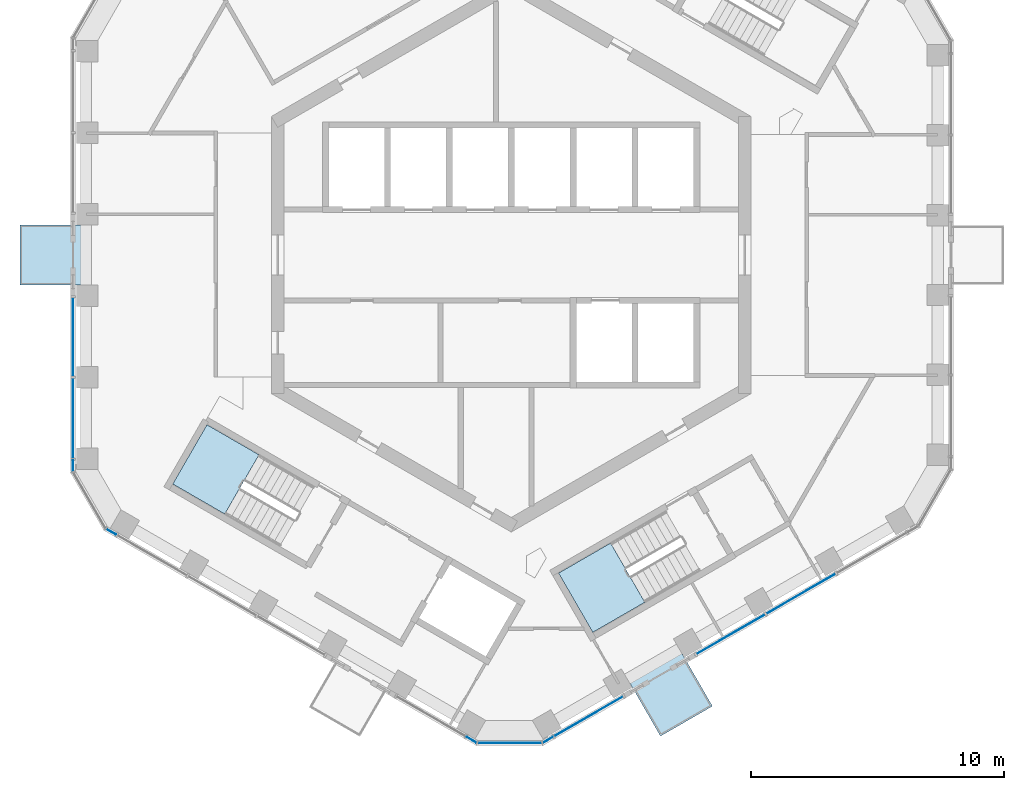
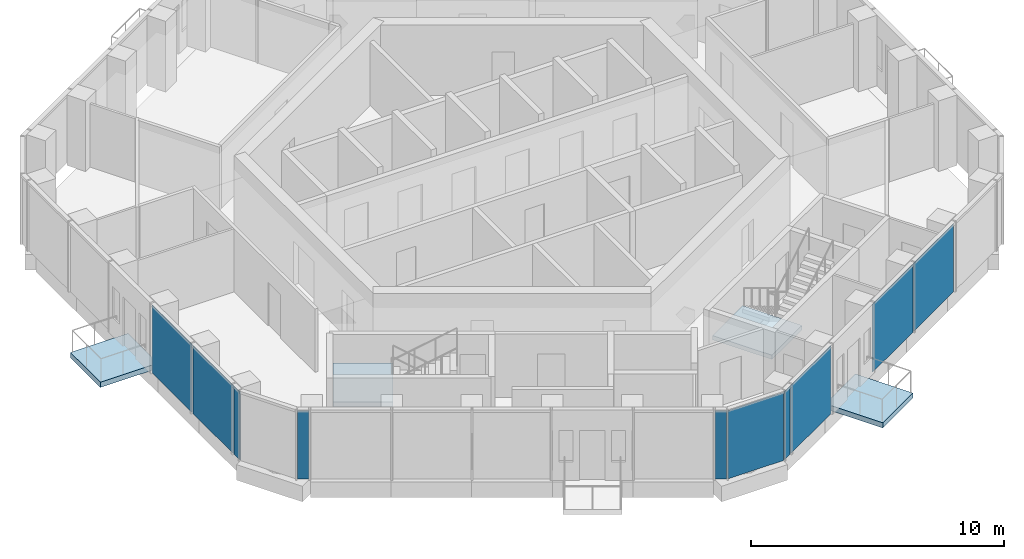
# One storey, part 8 of 19: 10 plates, 4 slabs, 7 elements without a shape of their own.
"""IFC4 building model written with IfcOpenShell, lengths in metres."""

from ifc_helpers import new_model, si_unit, direction, frame, origin, origin_2d, place, context, subcontext, project, spatial, polyline, rectangle, outline, extrude, material, layer, layer_set, type_object, element, aggregate, save


model = new_model("IFC4")

# Units and contexts
model_context = context("Model", 3, precision=1e-05, world=origin(), true_north=direction((0.0, 1.0)))
body_context = subcontext(model_context, "Body", "Model", "MODEL_VIEW")
ifc_project = project(units=[si_unit("LENGTHUNIT", "METRE"), si_unit("AREAUNIT", "SQUARE_METRE"), si_unit("VOLUMEUNIT", "CUBIC_METRE"), si_unit("PLANEANGLEUNIT", "RADIAN"), si_unit("MASSUNIT", "GRAM", prefix="KILO")], contexts=[model_context])

# Site, building, storey
site_placement = place(None, origin())
site = spatial("IfcSite", under=ifc_project, at=site_placement, CompositionType="ELEMENT")
building_placement = place(site_placement, origin())
building = spatial("IfcBuilding", under=site, at=building_placement, Name="Ayvan Gate Tower", CompositionType="ELEMENT")
storey_placement = place(building_placement, frame((0.0, 0.0, 222.300048828125)))
storey = spatial("IfcBuildingStorey", under=building, at=storey_placement, Name="L59", CompositionType="ELEMENT", Elevation=222.300048828125)

# Slabs
ifc_material_1 = material(Name="Concrete C40/50", Category="concrete")
ifc_layer_1 = layer(ifc_material_1, 0.25)
ifc_layer_set_1 = layer_set([ifc_layer_1], Name="Concrete C40/50")
slab_type_1 = type_object("IfcSlabType", Name="Balcony slab 250", PredefinedType="FLOOR", material=ifc_layer_set_1)
slab_1_placement = place(storey_placement, frame((0.0, 0.0, -0.25)))
element("IfcSlab", 1, at=slab_1_placement, inside=storey, type_object=slab_type_1, Name="Balcony slab BAL-L59-3", PredefinedType="FLOOR", context=body_context, shape_type="SweptSolid", body=[
    extrude(outline(polyline([(-16.828125, 1.185302734375), (-16.828125, -1.185302734375), (-19.453125, -1.185302734375), (-19.453125, 1.185302734375), (-16.828125, 1.185302734375)])), origin(), (0.0, 0.0, 1.0), 0.25),
])
slab_2_placement = place(storey_placement, frame((0.0, 0.0, -0.25)))
element("IfcSlab", 2, at=slab_2_placement, inside=storey, type_object=slab_type_1, Name="Balcony slab BAL-L59-5", PredefinedType="FLOOR", context=body_context, shape_type="SweptSolid", body=[
    extrude(outline(polyline([(4.59814453125, -16.77685546875), (6.6513671875, -15.59130859375), (7.9638671875, -17.864501953125), (5.91064453125, -19.050048828125), (4.59814453125, -16.77685546875)])), origin(), (0.0, 0.0, 1.0), 0.25),
])

# Stair, slab
stair_type = type_object("IfcStairType", Name="ST-EXIT", PredefinedType="HALF_TURN_STAIR", material=ifc_material_1)
stair_1_placement = place(storey_placement, origin())
stair_1 = element("IfcStair", 3, at=stair_1_placement, inside=storey, type_object=stair_type, Name="L59 Exit Stair S2", PredefinedType="HALF_TURN_STAIR")
ifc_layer_2 = layer(ifc_material_1, 0.199951171875)
ifc_layer_set_2 = layer_set([ifc_layer_2], Name="Concrete C40/50")
slab_type_2 = type_object("IfcSlabType", Name="SL-LANDING-200", PredefinedType="LANDING", material=ifc_layer_set_2)
slab_3_placement = place(storey_placement, frame((0.0, 0.0, 1.5)))
slab_3 = element("IfcSlab", 4, at=slab_3_placement, type_object=slab_type_2, Name="STS2 landing 1", PredefinedType="LANDING", context=body_context, shape_type="SweptSolid", body=[
    extrude(outline(polyline([(-9.988525390625, -7.91064453125), (-12.049560546875, -6.720458984375), (-13.404541015625, -9.0673828125), (-11.343505859375, -10.257568359375), (-9.988525390625, -7.91064453125)])), origin(), (0.0, 0.0, 1.0), 0.199951171875),
])
aggregate(stair_1, [slab_3])

stair_2_placement = place(storey_placement, origin())
stair_2 = element("IfcStair", 5, at=stair_2_placement, inside=storey, type_object=stair_type, Name="L59 Exit Stair S3", PredefinedType="HALF_TURN_STAIR")
slab_4_placement = place(storey_placement, frame((0.0, 0.0, 1.5)))
slab_4 = element("IfcSlab", 6, at=slab_4_placement, type_object=slab_type_2, Name="STS3 landing 1", PredefinedType="LANDING", context=body_context, shape_type="SweptSolid", body=[
    extrude(outline(polyline([(3.93505859375, -11.405517578125), (1.873779296875, -12.595458984375), (3.228759765625, -14.9423828125), (5.2900390625, -13.75244140625), (3.93505859375, -11.405517578125)])), origin(), (0.0, 0.0, 1.0), 0.199951171875),
])
aggregate(stair_2, [slab_4])

# Curtain wall, plates
ifc_material_2 = material(Name="Bronze anodised aluminium", Category="aluminium")
ifc_layer_3 = layer(ifc_material_2, 0.199951171875)
ifc_layer_set_3 = layer_set([ifc_layer_3], Name="Bronze anodised aluminium")
curtain_wall_type_1 = type_object("IfcCurtainWallType", Name="Stick curtain wall CW-2", PredefinedType="NOTDEFINED", material=ifc_layer_set_3)
curtain_wall_1_placement = place(storey_placement, origin())
curtain_wall_1 = element("IfcCurtainWall", 7, at=curtain_wall_1_placement, inside=storey, type_object=curtain_wall_type_1, Name="Stick curtain wall CW-2 L59", PredefinedType="NOTDEFINED")
ifc_material_3 = material(Name="Clear low-iron laminated glass", Category="glass")
ifc_layer_4 = layer(ifc_material_3, 0.028076171875)
ifc_layer_set_4 = layer_set([ifc_layer_4], Name="Clear low-iron laminated glass")
plate_type_1 = type_object("IfcPlateType", Name="Stick curtain wall CW-2 glass panel", PredefinedType="CURTAIN_PANEL", material=ifc_layer_set_4)
plate_1_placement = place(storey_placement, frame((-17.35302734375, -3.227783203125, 0.0), z_axis=(0.0, 0.0, 1.0), x_axis=(0.0, -1.0, 0.0)))
plate_1 = element("IfcPlate", 8, at=plate_1_placement, type_object=plate_type_1, Name="CW-2 glass panel 1", PredefinedType="CURTAIN_PANEL", context=body_context, shape_type="SweptSolid", body=[
    extrude(rectangle(XDim=3.157958984375, YDim=0.028076171875, at=origin_2d()), origin(), (0.0, 0.0, 1.0), 3.280029296875),
])
plate_2_placement = place(storey_placement, frame((-17.35302734375, -6.4814453125, 0.0), z_axis=(0.0, 0.0, 1.0), x_axis=(0.0, -1.0, 0.0)))
plate_2 = element("IfcPlate", 9, at=plate_2_placement, type_object=plate_type_1, Name="CW-2 glass panel 2", PredefinedType="CURTAIN_PANEL", context=body_context, shape_type="SweptSolid", body=[
    extrude(rectangle(XDim=3.209716796875, YDim=0.028076171875, at=origin_2d()), origin(), (0.0, 0.0, 1.0), 3.280029296875),
])
aggregate(curtain_wall_1, [plate_1, plate_2])

# Curtain wall, plate
curtain_wall_2_placement = place(storey_placement, origin())
curtain_wall_2 = element("IfcCurtainWall", 10, at=curtain_wall_2_placement, inside=storey, type_object=curtain_wall_type_1, Name="Stick curtain wall CW-2 L59", PredefinedType="NOTDEFINED")
plate_3_placement = place(storey_placement, frame((3.0634765625, -18.26904296875, 0.0), z_axis=(0.0, 0.0, 1.0), x_axis=(0.866025403784, 0.5, 0.0)))
plate_3 = element("IfcPlate", 11, at=plate_3_placement, type_object=plate_type_1, Name="CW-2 glass panel 1", PredefinedType="CURTAIN_PANEL", context=body_context, shape_type="SweptSolid", body=[
    extrude(rectangle(XDim=3.2099609375, YDim=0.028076171875, at=origin_2d()), origin(), (0.0, 0.0, 1.0), 3.280029296875),
])
aggregate(curtain_wall_2, [plate_3])

# Curtain wall, plates
curtain_wall_3_placement = place(storey_placement, origin())
curtain_wall_3 = element("IfcCurtainWall", 12, at=curtain_wall_3_placement, inside=storey, type_object=curtain_wall_type_1, Name="Stick curtain wall CW-2 L59", PredefinedType="NOTDEFINED")
plate_4_placement = place(storey_placement, frame((8.67626953125, -15.0283203125, 0.0), z_axis=(0.0, 0.0, 1.0), x_axis=(0.866025403784, 0.5, 0.0)))
plate_4 = element("IfcPlate", 13, at=plate_4_placement, type_object=plate_type_1, Name="CW-2 glass panel 1", PredefinedType="CURTAIN_PANEL", context=body_context, shape_type="SweptSolid", body=[
    extrude(rectangle(XDim=3.157958984375, YDim=0.028076171875, at=origin_2d()), origin(), (0.0, 0.0, 1.0), 3.280029296875),
])
plate_5_placement = place(storey_placement, frame((11.471923828125, -13.41455078125, 0.0), z_axis=(0.0, 0.0, 1.0), x_axis=(0.866025403784, 0.5, 0.0)))
plate_5 = element("IfcPlate", 14, at=plate_5_placement, type_object=plate_type_1, Name="CW-2 glass panel 2", PredefinedType="CURTAIN_PANEL", context=body_context, shape_type="SweptSolid", body=[
    extrude(rectangle(XDim=3.157958984375, YDim=0.028076171875, at=origin_2d()), origin(), (0.0, 0.0, 1.0), 3.280029296875),
])
aggregate(curtain_wall_3, [plate_4, plate_5])

ifc_layer_5 = layer(ifc_material_2, 0.199951171875)
ifc_layer_set_5 = layer_set([ifc_layer_5], Name="Bronze anodised aluminium")
curtain_wall_type_2 = type_object("IfcCurtainWallType", Name="Stick curtain wall CW-6", PredefinedType="NOTDEFINED", material=ifc_layer_set_5)
curtain_wall_4_placement = place(storey_placement, origin())
curtain_wall_4 = element("IfcCurtainWall", 15, at=curtain_wall_4_placement, inside=storey, type_object=curtain_wall_type_2, Name="Stick curtain wall CW-6 L59", PredefinedType="NOTDEFINED")
ifc_layer_6 = layer(ifc_material_3, 0.028076171875)
ifc_layer_set_6 = layer_set([ifc_layer_6], Name="Clear low-iron laminated glass")
plate_type_2 = type_object("IfcPlateType", Name="Stick curtain wall CW-6 glass panel", PredefinedType="CURTAIN_PANEL", material=ifc_layer_set_6)
plate_6_placement = place(storey_placement, frame((-17.35302734375, -8.346435546875, 0.0), z_axis=(0.0, 0.0, 1.0), x_axis=(0.0, -1.0, 0.0)))
plate_6 = element("IfcPlate", 16, at=plate_6_placement, type_object=plate_type_2, Name="CW-6 glass panel 1", PredefinedType="CURTAIN_PANEL", context=body_context, shape_type="SweptSolid", body=[
    extrude(rectangle(XDim=0.449951171875, YDim=0.028076171875, at=origin_2d()), origin(), (0.0, 0.0, 1.0), 3.280029296875),
])
plate_7_placement = place(storey_placement, frame((-15.845458984375, -10.9580078125, 0.0), z_axis=(0.0, 0.0, 1.0), x_axis=(0.866025403784, -0.5, 0.0)))
plate_7 = element("IfcPlate", 17, at=plate_7_placement, type_object=plate_type_2, Name="CW-6 glass panel 3", PredefinedType="CURTAIN_PANEL", context=body_context, shape_type="SweptSolid", body=[
    extrude(rectangle(XDim=0.449951171875, YDim=0.028076171875, at=origin_2d()), origin(), (0.0, 0.0, 1.0), 3.280029296875),
])
aggregate(curtain_wall_4, [plate_6, plate_7])

curtain_wall_5_placement = place(storey_placement, origin())
curtain_wall_5 = element("IfcCurtainWall", 18, at=curtain_wall_5_placement, inside=storey, type_object=curtain_wall_type_2, Name="Stick curtain wall CW-6 L59", PredefinedType="NOTDEFINED")
plate_8_placement = place(storey_placement, frame((-1.567138671875, -19.201416015625, 0.0), z_axis=(0.0, 0.0, 1.0), x_axis=(0.866025403784, -0.5, 0.0)))
plate_8 = element("IfcPlate", 19, at=plate_8_placement, type_object=plate_type_2, Name="CW-6 glass panel 1", PredefinedType="CURTAIN_PANEL", context=body_context, shape_type="SweptSolid", body=[
    extrude(rectangle(XDim=0.449951171875, YDim=0.028076171875, at=origin_2d()), origin(), (0.0, 0.0, 1.0), 3.280029296875),
])
plate_9_placement = place(storey_placement, frame((-0.059326171875, -19.326416015625, 0.0), z_axis=(0.0, 0.0, 1.0), x_axis=(1.0, 0.0, 0.0)))
plate_9 = element("IfcPlate", 20, at=plate_9_placement, type_object=plate_type_2, Name="CW-6 glass panel 2", PredefinedType="CURTAIN_PANEL", context=body_context, shape_type="SweptSolid", body=[
    extrude(rectangle(XDim=2.532470703125, YDim=0.028076171875, at=origin_2d()), origin(), (0.0, 0.0, 1.0), 3.280029296875),
])
plate_10_placement = place(storey_placement, frame((1.448486328125, -19.201416015625, 0.0), z_axis=(0.0, 0.0, 1.0), x_axis=(0.866025403784, 0.5, 0.0)))
plate_10 = element("IfcPlate", 21, at=plate_10_placement, type_object=plate_type_2, Name="CW-6 glass panel 3", PredefinedType="CURTAIN_PANEL", context=body_context, shape_type="SweptSolid", body=[
    extrude(rectangle(XDim=0.449951171875, YDim=0.028076171875, at=origin_2d()), origin(), (0.0, 0.0, 1.0), 3.280029296875),
])
aggregate(curtain_wall_5, [plate_8, plate_9, plate_10])

save(model, "model.ifc")
